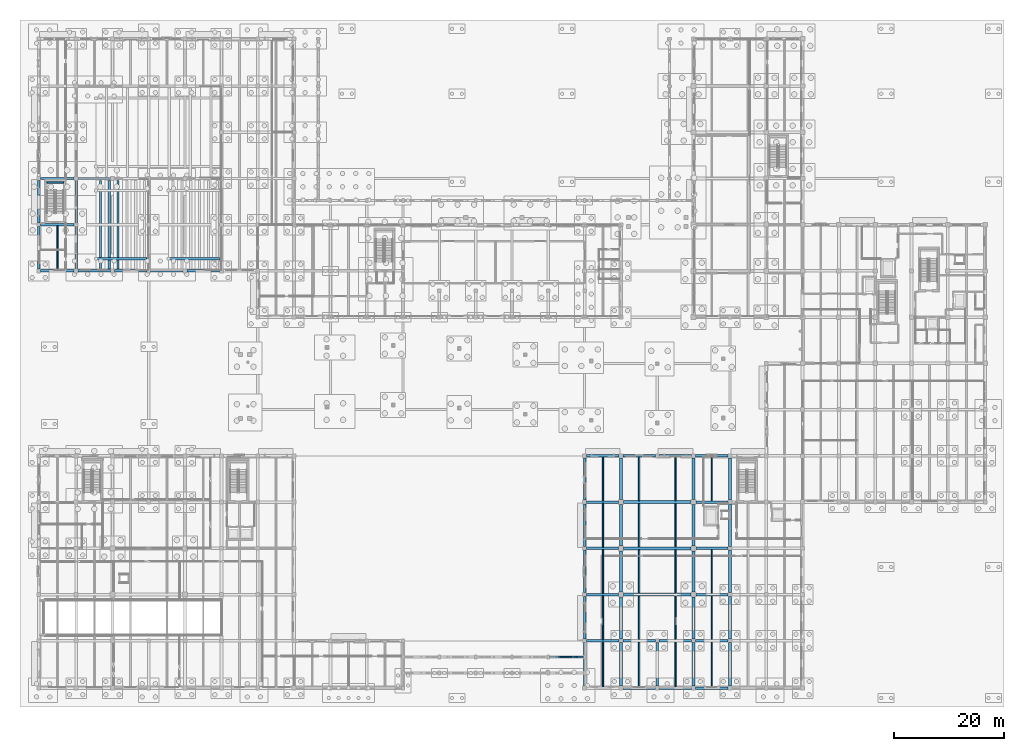
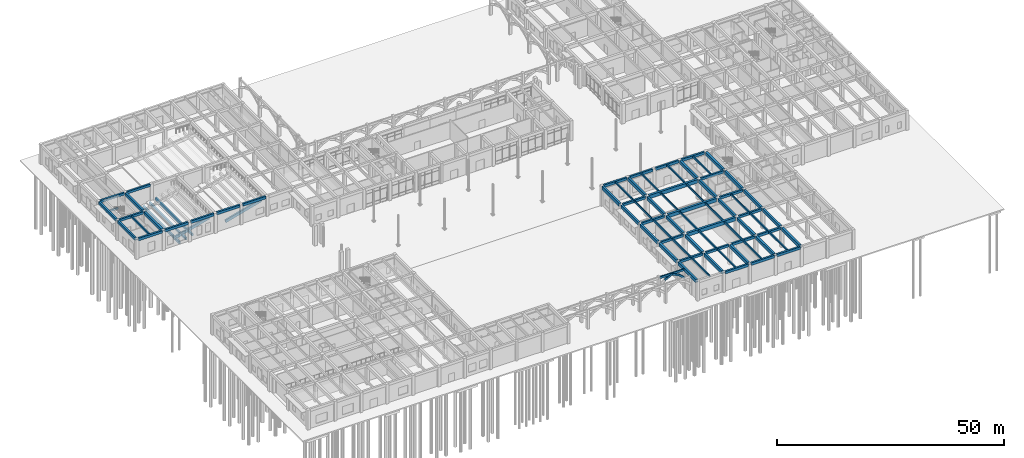
# One storey, part 23 of 82: 80 beams, 3 members.
"""IFC4 building model written with IfcOpenShell, lengths in metres."""

from ifc_helpers import new_model, si_unit, direction, frame, origin, origin_2d, place, context, subcontext, project, spatial, rectangle, extrude, material, material_profile, profile_set, type_object, element, save


model = new_model("IFC4")

# Units and contexts
model_context = context("Model", 3, precision=1e-05, world=origin(), true_north=direction((0.0, 1.0)))
body_context = subcontext(model_context, "Body", "Model", "MODEL_VIEW")
ifc_project = project(units=[si_unit("LENGTHUNIT", "METRE"), si_unit("AREAUNIT", "SQUARE_METRE"), si_unit("VOLUMEUNIT", "CUBIC_METRE"), si_unit("PLANEANGLEUNIT", "RADIAN"), si_unit("MASSUNIT", "GRAM", prefix="KILO")], contexts=[model_context])

# Site, building, storey
site_placement = place(None, origin())
site = spatial("IfcSite", under=ifc_project, at=site_placement, CompositionType="ELEMENT")
building_placement = place(site_placement, origin())
building = spatial("IfcBuilding", under=site, at=building_placement, Name="Kolvaren Faculty of Natural Sciences", CompositionType="ELEMENT")
storey_placement = place(building_placement, origin())
storey = spatial("IfcBuildingStorey", under=building, at=storey_placement, Name="L00", CompositionType="ELEMENT", Elevation=0.0)

# Beams
ifc_material_1 = material(Name="Concrete C40/50", Category="concrete")
ifc_material_profile_1 = material_profile(ifc_material_1, rectangle(XDim=0.300048828125, YDim=0.449951171875, at=origin_2d()), Name="RC LNT 300x450")
ifc_profile_set_1 = profile_set([ifc_material_profile_1], Name="Concrete C40/50")
beam_type_1 = type_object("IfcBeamType", Name="CoreCouplingLintel_300x450", PredefinedType="LINTEL", material=ifc_profile_set_1)
beam_1_placement = place(storey_placement, frame((1.47509765625, 91.8798828125, 2.27490234375), z_axis=(1.0, 0.0, 0.0), x_axis=(0.0, 1.0, 0.0)))
element("IfcBeam", 1, at=beam_1_placement, inside=storey, type_object=beam_type_1, Name="L00 ST-5 half-landing support lintel", PredefinedType="LINTEL", context=body_context, shape_type="SweptSolid", body=[
    extrude(rectangle(XDim=0.300048828125, YDim=0.449951171875, at=origin_2d()), origin(), (0.0, 0.0, 1.0), 3.0498046875),
])
ifc_material_2 = material(Name="Concrete C35/45", Category="concrete")
ifc_material_profile_2 = material_profile(ifc_material_2, rectangle(XDim=0.39990234375, YDim=0.60009765625, at=origin_2d()), Name="RC BM 400x600")
ifc_profile_set_2 = profile_set([ifc_material_profile_2], Name="Concrete C35/45")
beam_type_2 = type_object("IfcBeamType", Name="GridBeam_400x600", PredefinedType="BEAM", material=ifc_profile_set_2)
for number, where, z_axis, x_axis, name in (
    (2, (11.22509765625, 76.1201171875, 0.090087890625), (0.0, 1.0, 0.0), (-1.0, 0.0, 0.0), "Lecture theatre LT-2 tier 1 transverse support beam"),
    (3, (12.824951171875, 76.1201171875, 0.60009765625), (0.0, 1.0, 0.0), (-1.0, 0.0, 0.0), "Lecture theatre LT-2 tier 2 transverse support beam"),
    (4, (14.425048828125, 76.1201171875, 1.1298828125), (0.0, 1.0, 0.0), (-1.0, 0.0, 0.0), "Lecture theatre LT-2 tier 3 transverse support beam"),
):
    element("IfcBeam", number, at=place(storey_placement, frame(where, z_axis=z_axis, x_axis=x_axis)), inside=storey, type_object=beam_type_2, Name=name, PredefinedType="BEAM", context=body_context, shape_type="SweptSolid", body=[
        extrude(rectangle(XDim=0.39990234375, YDim=0.60009765625, at=origin_2d()), origin(), (0.0, 0.0, 1.0), 16.159912109375),
    ])
ifc_material_profile_3 = material_profile(ifc_material_2, rectangle(XDim=0.449951171875, YDim=0.64990234375, at=origin_2d()), Name="RC BM 450x650")
ifc_profile_set_3 = profile_set([ifc_material_profile_3], Name="Concrete C35/45")
beam_type_3 = type_object("IfcBeamType", Name="GridBeam_450x650", PredefinedType="BEAM", material=ifc_profile_set_3)
beam_2_placement = place(storey_placement, frame((99.550048828125, 8.60009765625, 5.074951171875), z_axis=(1.0, 0.0, 0.0), x_axis=(0.0, 1.0, 0.0)))
element("IfcBeam", 5, at=beam_2_placement, inside=storey, type_object=beam_type_3, Name="L00 beam BM-65 on grid B", PredefinedType="BEAM", context=body_context, shape_type="SweptSolid", body=[
    extrude(rectangle(XDim=0.449951171875, YDim=0.64990234375, at=origin_2d()), origin(), (0.0, 0.0, 1.0), 5.89990234375),
])
beam_3_placement = place(storey_placement, frame((106.14990234375, 8.60009765625, 5.074951171875), z_axis=(1.0, 0.0, 0.0), x_axis=(0.0, 1.0, 0.0)))
element("IfcBeam", 6, at=beam_3_placement, inside=storey, type_object=beam_type_3, Name="L00 beam BM-65 on grid B", PredefinedType="BEAM", context=body_context, shape_type="SweptSolid", body=[
    extrude(rectangle(XDim=0.449951171875, YDim=0.64990234375, at=origin_2d()), origin(), (0.0, 0.0, 1.0), 5.900146484375),
])
for number, where, z_axis, x_axis, name in (
    (7, (112.75, 8.60009765625, 5.074951171875), (1.0, 0.0, 0.0), (0.0, 1.0, 0.0), "L00 beam BM-65 on grid B"),
    (8, (119.35009765625, 8.60009765625, 5.074951171875), (1.0, 0.0, 0.0), (0.0, 1.0, 0.0), "L00 beam BM-65 on grid B"),
):
    element("IfcBeam", number, at=place(storey_placement, frame(where, z_axis=z_axis, x_axis=x_axis)), inside=storey, type_object=beam_type_3, Name=name, PredefinedType="BEAM", context=body_context, shape_type="SweptSolid", body=[
        extrude(rectangle(XDim=0.449951171875, YDim=0.64990234375, at=origin_2d()), origin(), (0.0, 0.0, 1.0), 5.89990234375),
    ])
for number, where, z_axis, x_axis, name in (
    (9, (99.550048828125, 17.0, 5.074951171875), (1.0, 0.0, 0.0), (0.0, 1.0, 0.0), "L00 beam BM-65 on grid C"),
    (10, (119.449951171875, 17.0, 5.074951171875), (1.0, 0.0, 0.0), (0.0, 1.0, 0.0), "L00 beam BM-65 on grid C"),
    (11, (99.550048828125, 25.39990234375, 5.074951171875), (1.0, 0.0, 0.0), (0.0, 1.0, 0.0), "L00 beam BM-65 on grid D"),
    (12, (119.449951171875, 25.39990234375, 5.074951171875), (1.0, 0.0, 0.0), (0.0, 1.0, 0.0), "L00 beam BM-65 on grid D"),
    (13, (99.550048828125, 33.800048828125, 5.074951171875), (1.0, 0.0, 0.0), (0.0, 1.0, 0.0), "L00 beam BM-65 on grid E"),
    (14, (119.449951171875, 33.800048828125, 5.074951171875), (1.0, 0.0, 0.0), (0.0, 1.0, 0.0), "L00 beam BM-65 on grid E"),
):
    element("IfcBeam", number, at=place(storey_placement, frame(where, z_axis=z_axis, x_axis=x_axis)), inside=storey, type_object=beam_type_3, Name=name, PredefinedType="BEAM", context=body_context, shape_type="SweptSolid", body=[
        extrude(rectangle(XDim=0.449951171875, YDim=0.64990234375, at=origin_2d()), origin(), (0.0, 0.0, 1.0), 5.800048828125),
    ])
for number, where, z_axis, x_axis, name in (
    (15, (0.35009765625, 84.199951171875, 5.074951171875), (1.0, 0.0, 0.0), (0.0, 1.0, 0.0), "L00 beam BM-65 on grid L"),
    (16, (0.35009765625, 92.60009765625, 5.074951171875), (1.0, 0.0, 0.0), (0.0, 1.0, 0.0), "L00 beam BM-65 on grid M"),
):
    element("IfcBeam", number, at=place(storey_placement, frame(where, z_axis=z_axis, x_axis=x_axis)), inside=storey, type_object=beam_type_3, Name=name, PredefinedType="BEAM", context=body_context, shape_type="SweptSolid", body=[
        extrude(rectangle(XDim=0.449951171875, YDim=0.64990234375, at=origin_2d()), origin(), (0.0, 0.0, 1.0), 6.099853515625),
    ])
beam_4_placement = place(storey_placement, frame((7.14990234375, 92.60009765625, 5.074951171875), z_axis=(1.0, 0.0, 0.0), x_axis=(0.0, 1.0, 0.0)))
element("IfcBeam", 17, at=beam_4_placement, inside=storey, type_object=beam_type_3, Name="L00 beam BM-65 on grid M", PredefinedType="BEAM", context=body_context, shape_type="SweptSolid", body=[
    extrude(rectangle(XDim=0.449951171875, YDim=0.64990234375, at=origin_2d()), origin(), (0.0, 0.0, 1.0), 5.900146484375),
])
ifc_material_profile_4 = material_profile(ifc_material_1, rectangle(XDim=0.550048828125, YDim=0.949951171875, at=origin_2d()), Name="RC BM 550x950")
ifc_profile_set_4 = profile_set([ifc_material_profile_4], Name="Concrete C40/50")
beam_type_4 = type_object("IfcBeamType", Name="HallGirder_550x950", PredefinedType="BEAM", material=ifc_profile_set_4)
for number, where, z_axis, x_axis, name in (
    (18, (106.25, 17.0, 4.925048828125), (1.0, 0.0, 0.0), (0.0, 1.0, 0.0), "L00 beam BG-95 on grid C"),
    (19, (106.25, 25.39990234375, 4.925048828125), (1.0, 0.0, 0.0), (0.0, 1.0, 0.0), "L00 beam BG-95 on grid D"),
    (20, (106.25, 33.800048828125, 4.925048828125), (1.0, 0.0, 0.0), (0.0, 1.0, 0.0), "L00 beam BG-95 on grid E"),
):
    element("IfcBeam", number, at=place(storey_placement, frame(where, z_axis=z_axis, x_axis=x_axis)), inside=storey, type_object=beam_type_4, Name=name, PredefinedType="BEAM", context=body_context, shape_type="SweptSolid", body=[
        extrude(rectangle(XDim=0.550048828125, YDim=0.949951171875, at=origin_2d()), origin(), (0.0, 0.0, 1.0), 12.300048828125),
    ])
ifc_material_profile_5 = material_profile(ifc_material_2, rectangle(XDim=0.260009765625, YDim=0.5, at=origin_2d()), Name="RC JST 260x500")
ifc_profile_set_5 = profile_set([ifc_material_profile_5], Name="Concrete C35/45")
beam_type_5 = type_object("IfcBeamType", Name="LabRibJoist_260x500", PredefinedType="JOIST", material=ifc_profile_set_5)
beam_5_placement = place(storey_placement, frame((3.39990234375, 76.02490234375, 5.14990234375), z_axis=(0.0, 1.0, 0.0), x_axis=(-1.0, 0.0, 0.0)))
element("IfcBeam", 21, at=beam_5_placement, inside=storey, type_object=beam_type_5, Name="L00 ribbed laboratory slab joist JS-50", PredefinedType="JOIST", context=body_context, shape_type="SweptSolid", body=[
    extrude(rectangle(XDim=0.260009765625, YDim=0.5, at=origin_2d()), origin(), (0.0, 0.0, 1.0), 7.9501953125),
])
beam_6_placement = place(storey_placement, frame((102.5, 0.22509765625, 5.14990234375), z_axis=(0.0, 1.0, 0.0), x_axis=(-1.0, 0.0, 0.0)))
element("IfcBeam", 22, at=beam_6_placement, inside=storey, type_object=beam_type_5, Name="L00 ribbed laboratory slab joist JS-50", PredefinedType="JOIST", context=body_context, shape_type="SweptSolid", body=[
    extrude(rectangle(XDim=0.260009765625, YDim=0.5, at=origin_2d()), origin(), (0.0, 0.0, 1.0), 8.14990234375),
])
for number, where, z_axis, x_axis, name in (
    (23, (102.5, 8.824951171875, 5.14990234375), (0.0, 1.0, 0.0), (-1.0, 0.0, 0.0), "L00 ribbed laboratory slab joist JS-50"),
    (24, (102.5, 17.22509765625, 5.14990234375), (0.0, 1.0, 0.0), (-1.0, 0.0, 0.0), "L00 ribbed laboratory slab joist JS-50"),
    (25, (102.5, 25.625, 5.14990234375), (0.0, 1.0, 0.0), (-1.0, 0.0, 0.0), "L00 ribbed laboratory slab joist JS-50"),
):
    element("IfcBeam", number, at=place(storey_placement, frame(where, z_axis=z_axis, x_axis=x_axis)), inside=storey, type_object=beam_type_5, Name=name, PredefinedType="JOIST", context=body_context, shape_type="SweptSolid", body=[
        extrude(rectangle(XDim=0.260009765625, YDim=0.5, at=origin_2d()), origin(), (0.0, 0.0, 1.0), 7.949951171875),
    ])
beam_7_placement = place(storey_placement, frame((102.5, 34.02490234375, 5.14990234375), z_axis=(0.0, 1.0, 0.0), x_axis=(-1.0, 0.0, 0.0)))
element("IfcBeam", 26, at=beam_7_placement, inside=storey, type_object=beam_type_5, Name="L00 ribbed laboratory slab joist JS-50", PredefinedType="JOIST", context=body_context, shape_type="SweptSolid", body=[
    extrude(rectangle(XDim=0.260009765625, YDim=0.5, at=origin_2d()), origin(), (0.0, 0.0, 1.0), 7.9501953125),
])
beam_8_placement = place(storey_placement, frame((109.10009765625, 0.22509765625, 5.14990234375), z_axis=(0.0, 1.0, 0.0), x_axis=(-1.0, 0.0, 0.0)))
element("IfcBeam", 27, at=beam_8_placement, inside=storey, type_object=beam_type_5, Name="L00 ribbed laboratory slab joist JS-50", PredefinedType="JOIST", context=body_context, shape_type="SweptSolid", body=[
    extrude(rectangle(XDim=0.260009765625, YDim=0.5, at=origin_2d()), origin(), (0.0, 0.0, 1.0), 8.14990234375),
])
beam_9_placement = place(storey_placement, frame((109.10009765625, 8.824951171875, 5.14990234375), z_axis=(0.0, 1.0, 0.0), x_axis=(-1.0, 0.0, 0.0)))
element("IfcBeam", 28, at=beam_9_placement, inside=storey, type_object=beam_type_5, Name="L00 ribbed laboratory slab joist JS-50", PredefinedType="JOIST", context=body_context, shape_type="SweptSolid", body=[
    extrude(rectangle(XDim=0.260009765625, YDim=0.5, at=origin_2d()), origin(), (0.0, 0.0, 1.0), 7.900146484375),
])
beam_10_placement = place(storey_placement, frame((109.10009765625, 17.27490234375, 5.14990234375), z_axis=(0.0, 1.0, 0.0), x_axis=(-1.0, 0.0, 0.0)))
element("IfcBeam", 29, at=beam_10_placement, inside=storey, type_object=beam_type_5, Name="L00 ribbed laboratory slab joist JS-50", PredefinedType="JOIST", context=body_context, shape_type="SweptSolid", body=[
    extrude(rectangle(XDim=0.260009765625, YDim=0.5, at=origin_2d()), origin(), (0.0, 0.0, 1.0), 7.85009765625),
])
beam_11_placement = place(storey_placement, frame((109.10009765625, 25.675048828125, 5.14990234375), z_axis=(0.0, 1.0, 0.0), x_axis=(-1.0, 0.0, 0.0)))
element("IfcBeam", 30, at=beam_11_placement, inside=storey, type_object=beam_type_5, Name="L00 ribbed laboratory slab joist JS-50", PredefinedType="JOIST", context=body_context, shape_type="SweptSolid", body=[
    extrude(rectangle(XDim=0.260009765625, YDim=0.5, at=origin_2d()), origin(), (0.0, 0.0, 1.0), 7.849853515625),
])
beam_12_placement = place(storey_placement, frame((109.10009765625, 34.074951171875, 5.14990234375), z_axis=(0.0, 1.0, 0.0), x_axis=(-1.0, 0.0, 0.0)))
element("IfcBeam", 31, at=beam_12_placement, inside=storey, type_object=beam_type_5, Name="L00 ribbed laboratory slab joist JS-50", PredefinedType="JOIST", context=body_context, shape_type="SweptSolid", body=[
    extrude(rectangle(XDim=0.260009765625, YDim=0.5, at=origin_2d()), origin(), (0.0, 0.0, 1.0), 7.900146484375),
])
beam_13_placement = place(storey_placement, frame((115.699951171875, 0.22509765625, 5.14990234375), z_axis=(0.0, 1.0, 0.0), x_axis=(-1.0, 0.0, 0.0)))
element("IfcBeam", 32, at=beam_13_placement, inside=storey, type_object=beam_type_5, Name="L00 ribbed laboratory slab joist JS-50", PredefinedType="JOIST", context=body_context, shape_type="SweptSolid", body=[
    extrude(rectangle(XDim=0.260009765625, YDim=0.5, at=origin_2d()), origin(), (0.0, 0.0, 1.0), 8.14990234375),
])
beam_14_placement = place(storey_placement, frame((115.699951171875, 8.824951171875, 5.14990234375), z_axis=(0.0, 1.0, 0.0), x_axis=(-1.0, 0.0, 0.0)))
element("IfcBeam", 33, at=beam_14_placement, inside=storey, type_object=beam_type_5, Name="L00 ribbed laboratory slab joist JS-50", PredefinedType="JOIST", context=body_context, shape_type="SweptSolid", body=[
    extrude(rectangle(XDim=0.260009765625, YDim=0.5, at=origin_2d()), origin(), (0.0, 0.0, 1.0), 7.900146484375),
])
beam_15_placement = place(storey_placement, frame((115.699951171875, 17.27490234375, 5.14990234375), z_axis=(0.0, 1.0, 0.0), x_axis=(-1.0, 0.0, 0.0)))
element("IfcBeam", 34, at=beam_15_placement, inside=storey, type_object=beam_type_5, Name="L00 ribbed laboratory slab joist JS-50", PredefinedType="JOIST", context=body_context, shape_type="SweptSolid", body=[
    extrude(rectangle(XDim=0.260009765625, YDim=0.5, at=origin_2d()), origin(), (0.0, 0.0, 1.0), 7.85009765625),
])
beam_16_placement = place(storey_placement, frame((115.699951171875, 25.675048828125, 5.14990234375), z_axis=(0.0, 1.0, 0.0), x_axis=(-1.0, 0.0, 0.0)))
element("IfcBeam", 35, at=beam_16_placement, inside=storey, type_object=beam_type_5, Name="L00 ribbed laboratory slab joist JS-50", PredefinedType="JOIST", context=body_context, shape_type="SweptSolid", body=[
    extrude(rectangle(XDim=0.260009765625, YDim=0.5, at=origin_2d()), origin(), (0.0, 0.0, 1.0), 7.849853515625),
])
beam_17_placement = place(storey_placement, frame((115.699951171875, 34.074951171875, 5.14990234375), z_axis=(0.0, 1.0, 0.0), x_axis=(-1.0, 0.0, 0.0)))
element("IfcBeam", 36, at=beam_17_placement, inside=storey, type_object=beam_type_5, Name="L00 ribbed laboratory slab joist JS-50", PredefinedType="JOIST", context=body_context, shape_type="SweptSolid", body=[
    extrude(rectangle(XDim=0.260009765625, YDim=0.5, at=origin_2d()), origin(), (0.0, 0.0, 1.0), 7.900146484375),
])
beam_18_placement = place(storey_placement, frame((122.300048828125, 0.22509765625, 5.14990234375), z_axis=(0.0, 1.0, 0.0), x_axis=(-1.0, 0.0, 0.0)))
element("IfcBeam", 37, at=beam_18_placement, inside=storey, type_object=beam_type_5, Name="L00 ribbed laboratory slab joist JS-50", PredefinedType="JOIST", context=body_context, shape_type="SweptSolid", body=[
    extrude(rectangle(XDim=0.260009765625, YDim=0.5, at=origin_2d()), origin(), (0.0, 0.0, 1.0), 8.14990234375),
])
for number, where, z_axis, x_axis, name in (
    (38, (122.300048828125, 8.824951171875, 5.14990234375), (0.0, 1.0, 0.0), (-1.0, 0.0, 0.0), "L00 ribbed laboratory slab joist JS-50"),
    (39, (122.300048828125, 17.22509765625, 5.14990234375), (0.0, 1.0, 0.0), (-1.0, 0.0, 0.0), "L00 ribbed laboratory slab joist JS-50"),
):
    element("IfcBeam", number, at=place(storey_placement, frame(where, z_axis=z_axis, x_axis=x_axis)), inside=storey, type_object=beam_type_5, Name=name, PredefinedType="JOIST", context=body_context, shape_type="SweptSolid", body=[
        extrude(rectangle(XDim=0.260009765625, YDim=0.5, at=origin_2d()), origin(), (0.0, 0.0, 1.0), 7.949951171875),
    ])
beam_19_placement = place(storey_placement, frame((122.300048828125, 34.02490234375, 5.14990234375), z_axis=(0.0, 1.0, 0.0), x_axis=(-1.0, 0.0, 0.0)))
element("IfcBeam", 40, at=beam_19_placement, inside=storey, type_object=beam_type_5, Name="L00 ribbed laboratory slab joist JS-50", PredefinedType="JOIST", context=body_context, shape_type="SweptSolid", body=[
    extrude(rectangle(XDim=0.260009765625, YDim=0.5, at=origin_2d()), origin(), (0.0, 0.0, 1.0), 7.9501953125),
])
ifc_material_profile_6 = material_profile(ifc_material_2, rectangle(XDim=0.39990234375, YDim=0.75, at=origin_2d()), Name="RC RK 400x750")
ifc_profile_set_6 = profile_set([ifc_material_profile_6], Name="Concrete C35/45")
beam_type_6 = type_object("IfcBeamType", Name="LectureTierRaker_400x750", PredefinedType="BEAM", material=ifc_profile_set_6)
beam_20_placement = place(storey_placement, frame((10.64990234375, 78.0, 0.35009765625), z_axis=(0.963502674178, 0.0, 0.267698705361), x_axis=(0.0, 1.0, 0.0)))
element("IfcBeam", 41, at=beam_20_placement, inside=storey, type_object=beam_type_6, Name="Lecture theatre LT-2 raker beam 1", PredefinedType="BEAM", context=body_context, shape_type="SweptSolid", body=[
    extrude(rectangle(XDim=0.39990234375, YDim=0.75, at=origin_2d()), origin(), (0.0, 0.0, 1.0), 9.41357421875),
])
beam_21_placement = place(storey_placement, frame((23.85009765625, 78.0, 0.35009765625), z_axis=(0.963500815555, 0.0, 0.267705394836), x_axis=(0.0, 1.0, 0.0)))
element("IfcBeam", 42, at=beam_21_placement, inside=storey, type_object=beam_type_6, Name="Lecture theatre LT-3 raker beam 1", PredefinedType="BEAM", context=body_context, shape_type="SweptSolid", body=[
    extrude(rectangle(XDim=0.39990234375, YDim=0.75, at=origin_2d()), origin(), (0.0, 0.0, 1.0), 9.413330078125),
])

# Members
ifc_material_3 = material(Name="Precast concrete C35/45", Category="concrete")
ifc_material_profile_7 = material_profile(ifc_material_3, rectangle(XDim=0.320068359375, YDim=0.47998046875, at=origin_2d()), Name="RC ARCH 320x480")
ifc_profile_set_7 = profile_set([ifc_material_profile_7], Name="Precast concrete C35/45")
member_type = type_object("IfcMemberType", Name="MughalPointedArchRib_320x480", PredefinedType="CHORD", material=ifc_profile_set_7)
for number, where, z_axis, x_axis, name in (
    (43, (94.0361328125, 5.64990234375, 3.871337890625), (0.898849053267, 0.0, 0.438258347828), (0.0, 1.0, 0.0), "Pointed Mughal arch rib ARG-N-92 segment 2"),
    (44, (95.828125, 5.64990234375, 4.815185546875), (0.898849053267, 0.0, -0.438258347828), (0.0, 1.0, 0.0), "Pointed Mughal arch rib ARG-N-92 segment 3"),
):
    element("IfcMember", number, at=place(storey_placement, frame(where, z_axis=z_axis, x_axis=x_axis)), inside=storey, type_object=member_type, Name=name, PredefinedType="CHORD", context=body_context, shape_type="SweptSolid", body=[
        extrude(rectangle(XDim=0.320068359375, YDim=0.47998046875, at=origin_2d()), origin(), (0.0, 0.0, 1.0), 2.153564453125),
    ])
member_placement = place(storey_placement, frame((97.631103515625, 5.64990234375, 3.95849609375), z_axis=(0.75942767941, 0.0, -0.650591730462), x_axis=(0.0, 1.0, 0.0)))
element("IfcMember", 45, at=member_placement, inside=storey, type_object=member_type, Name="Pointed Mughal arch rib ARG-N-92 segment 4", PredefinedType="CHORD", context=body_context, shape_type="SweptSolid", body=[
    extrude(rectangle(XDim=0.320068359375, YDim=0.47998046875, at=origin_2d()), origin(), (0.0, 0.0, 1.0), 2.014404296875),
])

# Beams
ifc_material_profile_8 = material_profile(ifc_material_2, rectangle(XDim=0.300048828125, YDim=0.550048828125, at=origin_2d()), Name="RC SP 300x550")
ifc_profile_set_8 = profile_set([ifc_material_profile_8], Name="Concrete C35/45")
beam_type_7 = type_object("IfcBeamType", Name="PerimeterSpandrel_300x550", PredefinedType="SPANDREL", material=ifc_profile_set_8)
beam_22_placement = place(storey_placement, frame((92.830078125, 5.64990234375, 4.89990234375), z_axis=(1.0, 0.0, 0.0), x_axis=(0.0, 1.0, 0.0)))
element("IfcBeam", 46, at=beam_22_placement, inside=storey, type_object=beam_type_7, Name="Chahar Bagh pointed-arch colonnade spandrel beam", PredefinedType="SPANDREL", context=body_context, shape_type="SweptSolid", body=[
    extrude(rectangle(XDim=0.300048828125, YDim=0.550048828125, at=origin_2d()), origin(), (0.0, 0.0, 1.0), 6.139892578125),
])
ifc_material_profile_9 = material_profile(ifc_material_2, rectangle(XDim=0.449951171875, YDim=0.699951171875, at=origin_2d()), Name="RC SP 450x700")
ifc_profile_set_9 = profile_set([ifc_material_profile_9], Name="Concrete C35/45")
beam_type_8 = type_object("IfcBeamType", Name="PerimeterSpandrel_450x700", PredefinedType="SPANDREL", material=ifc_profile_set_9)
beam_23_placement = place(storey_placement, frame((106.14990234375, 0.0, 5.050048828125), z_axis=(1.0, 0.0, 0.0), x_axis=(0.0, 1.0, 0.0)))
element("IfcBeam", 47, at=beam_23_placement, inside=storey, type_object=beam_type_8, Name="L00 spandrel SP-70 on grid A", PredefinedType="SPANDREL", context=body_context, shape_type="SweptSolid", body=[
    extrude(rectangle(XDim=0.449951171875, YDim=0.699951171875, at=origin_2d()), origin(), (0.0, 0.0, 1.0), 5.900146484375),
])
for number, where, z_axis, x_axis, name in (
    (48, (112.75, 0.0, 5.050048828125), (1.0, 0.0, 0.0), (0.0, 1.0, 0.0), "L00 spandrel SP-70 on grid A"),
    (49, (119.35009765625, 0.0, 5.050048828125), (1.0, 0.0, 0.0), (0.0, 1.0, 0.0), "L00 spandrel SP-70 on grid A"),
    (50, (99.550048828125, 42.199951171875, 5.050048828125), (1.0, 0.0, 0.0), (0.0, 1.0, 0.0), "L00 spandrel SP-70 on grid F"),
):
    element("IfcBeam", number, at=place(storey_placement, frame(where, z_axis=z_axis, x_axis=x_axis)), inside=storey, type_object=beam_type_8, Name=name, PredefinedType="SPANDREL", context=body_context, shape_type="SweptSolid", body=[
        extrude(rectangle(XDim=0.449951171875, YDim=0.699951171875, at=origin_2d()), origin(), (0.0, 0.0, 1.0), 5.89990234375),
    ])
beam_24_placement = place(storey_placement, frame((106.14990234375, 42.199951171875, 5.050048828125), z_axis=(1.0, 0.0, 0.0), x_axis=(0.0, 1.0, 0.0)))
element("IfcBeam", 51, at=beam_24_placement, inside=storey, type_object=beam_type_8, Name="L00 spandrel SP-70 on grid F", PredefinedType="SPANDREL", context=body_context, shape_type="SweptSolid", body=[
    extrude(rectangle(XDim=0.449951171875, YDim=0.699951171875, at=origin_2d()), origin(), (0.0, 0.0, 1.0), 5.900146484375),
])
for number, where, z_axis, x_axis, name in (
    (52, (112.75, 42.199951171875, 5.050048828125), (1.0, 0.0, 0.0), (0.0, 1.0, 0.0), "L00 spandrel SP-70 on grid F"),
    (53, (119.35009765625, 42.199951171875, 5.050048828125), (1.0, 0.0, 0.0), (0.0, 1.0, 0.0), "L00 spandrel SP-70 on grid F"),
):
    element("IfcBeam", number, at=place(storey_placement, frame(where, z_axis=z_axis, x_axis=x_axis)), inside=storey, type_object=beam_type_8, Name=name, PredefinedType="SPANDREL", context=body_context, shape_type="SweptSolid", body=[
        extrude(rectangle(XDim=0.449951171875, YDim=0.699951171875, at=origin_2d()), origin(), (0.0, 0.0, 1.0), 5.89990234375),
    ])
beam_25_placement = place(storey_placement, frame((0.35009765625, 75.800048828125, 5.050048828125), z_axis=(1.0, 0.0, 0.0), x_axis=(0.0, 1.0, 0.0)))
element("IfcBeam", 54, at=beam_25_placement, inside=storey, type_object=beam_type_8, Name="L00 spandrel SP-70 on grid K", PredefinedType="SPANDREL", context=body_context, shape_type="SweptSolid", body=[
    extrude(rectangle(XDim=0.449951171875, YDim=0.699951171875, at=origin_2d()), origin(), (0.0, 0.0, 1.0), 6.099853515625),
])
beam_26_placement = place(storey_placement, frame((7.14990234375, 75.800048828125, 5.050048828125), z_axis=(1.0, 0.0, 0.0), x_axis=(0.0, 1.0, 0.0)))
element("IfcBeam", 55, at=beam_26_placement, inside=storey, type_object=beam_type_8, Name="L00 spandrel SP-70 on grid K", PredefinedType="SPANDREL", context=body_context, shape_type="SweptSolid", body=[
    extrude(rectangle(XDim=0.449951171875, YDim=0.699951171875, at=origin_2d()), origin(), (0.0, 0.0, 1.0), 5.900146484375),
])
for number, where, z_axis, x_axis, name in (
    (56, (13.75, 75.800048828125, 5.050048828125), (1.0, 0.0, 0.0), (0.0, 1.0, 0.0), "L00 spandrel SP-70 on grid K"),
    (57, (20.35009765625, 75.800048828125, 5.050048828125), (1.0, 0.0, 0.0), (0.0, 1.0, 0.0), "L00 spandrel SP-70 on grid K"),
):
    element("IfcBeam", number, at=place(storey_placement, frame(where, z_axis=z_axis, x_axis=x_axis)), inside=storey, type_object=beam_type_8, Name=name, PredefinedType="SPANDREL", context=body_context, shape_type="SweptSolid", body=[
        extrude(rectangle(XDim=0.449951171875, YDim=0.699951171875, at=origin_2d()), origin(), (0.0, 0.0, 1.0), 5.89990234375),
    ])
beam_27_placement = place(storey_placement, frame((26.949951171875, 75.800048828125, 5.050048828125), z_axis=(1.0, 0.0, 0.0), x_axis=(0.0, 1.0, 0.0)))
element("IfcBeam", 58, at=beam_27_placement, inside=storey, type_object=beam_type_8, Name="L00 spandrel SP-70 on grid K", PredefinedType="SPANDREL", context=body_context, shape_type="SweptSolid", body=[
    extrude(rectangle(XDim=0.449951171875, YDim=0.699951171875, at=origin_2d()), origin(), (0.0, 0.0, 1.0), 5.900146484375),
])
beam_28_placement = place(storey_placement, frame((0.0, 76.14990234375, 5.050048828125), z_axis=(0.0, 1.0, 0.0), x_axis=(-1.0, 0.0, 0.0)))
element("IfcBeam", 59, at=beam_28_placement, inside=storey, type_object=beam_type_8, Name="L00 girder SP-70 on grid 1", PredefinedType="SPANDREL", context=body_context, shape_type="SweptSolid", body=[
    extrude(rectangle(XDim=0.449951171875, YDim=0.699951171875, at=origin_2d()), origin(), (0.0, 0.0, 1.0), 7.7001953125),
])
beam_29_placement = place(storey_placement, frame((0.0, 84.550048828125, 5.050048828125), z_axis=(0.0, 1.0, 0.0), x_axis=(-1.0, 0.0, 0.0)))
element("IfcBeam", 60, at=beam_29_placement, inside=storey, type_object=beam_type_8, Name="L00 girder SP-70 on grid 1", PredefinedType="SPANDREL", context=body_context, shape_type="SweptSolid", body=[
    extrude(rectangle(XDim=0.449951171875, YDim=0.699951171875, at=origin_2d()), origin(), (0.0, 0.0, 1.0), 7.699951171875),
])
ifc_material_profile_10 = material_profile(ifc_material_2, rectangle(XDim=0.5, YDim=0.85009765625, at=origin_2d()), Name="RC BM 500x850")
ifc_profile_set_10 = profile_set([ifc_material_profile_10], Name="Concrete C35/45")
beam_type_9 = type_object("IfcBeamType", Name="PrimaryGirder_500x850", PredefinedType="BEAM", material=ifc_profile_set_10)
beam_30_placement = place(storey_placement, frame((6.800048828125, 76.14990234375, 4.97509765625), z_axis=(0.0, 1.0, 0.0), x_axis=(-1.0, 0.0, 0.0)))
element("IfcBeam", 61, at=beam_30_placement, inside=storey, type_object=beam_type_9, Name="L00 girder BG-85 on grid 2", PredefinedType="BEAM", context=body_context, shape_type="SweptSolid", body=[
    extrude(rectangle(XDim=0.5, YDim=0.85009765625, at=origin_2d()), origin(), (0.0, 0.0, 1.0), 7.7001953125),
])
beam_31_placement = place(storey_placement, frame((6.800048828125, 84.550048828125, 4.97509765625), z_axis=(0.0, 1.0, 0.0), x_axis=(-1.0, 0.0, 0.0)))
element("IfcBeam", 62, at=beam_31_placement, inside=storey, type_object=beam_type_9, Name="L00 girder BG-85 on grid 2", PredefinedType="BEAM", context=body_context, shape_type="SweptSolid", body=[
    extrude(rectangle(XDim=0.5, YDim=0.85009765625, at=origin_2d()), origin(), (0.0, 0.0, 1.0), 7.699951171875),
])
beam_32_placement = place(storey_placement, frame((99.199951171875, 0.35009765625, 4.97509765625), z_axis=(0.0, 1.0, 0.0), x_axis=(-1.0, 0.0, 0.0)))
element("IfcBeam", 63, at=beam_32_placement, inside=storey, type_object=beam_type_9, Name="L00 girder BG-85 on grid 16", PredefinedType="BEAM", context=body_context, shape_type="SweptSolid", body=[
    extrude(rectangle(XDim=0.5, YDim=0.85009765625, at=origin_2d()), origin(), (0.0, 0.0, 1.0), 7.89990234375),
])
for number, where, z_axis, x_axis, name in (
    (64, (99.199951171875, 8.949951171875, 4.97509765625), (0.0, 1.0, 0.0), (-1.0, 0.0, 0.0), "L00 girder BG-85 on grid 16"),
    (65, (99.199951171875, 17.35009765625, 4.97509765625), (0.0, 1.0, 0.0), (-1.0, 0.0, 0.0), "L00 girder BG-85 on grid 16"),
    (66, (99.199951171875, 25.75, 4.97509765625), (0.0, 1.0, 0.0), (-1.0, 0.0, 0.0), "L00 girder BG-85 on grid 16"),
):
    element("IfcBeam", number, at=place(storey_placement, frame(where, z_axis=z_axis, x_axis=x_axis)), inside=storey, type_object=beam_type_9, Name=name, PredefinedType="BEAM", context=body_context, shape_type="SweptSolid", body=[
        extrude(rectangle(XDim=0.5, YDim=0.85009765625, at=origin_2d()), origin(), (0.0, 0.0, 1.0), 7.699951171875),
    ])
beam_33_placement = place(storey_placement, frame((99.199951171875, 34.14990234375, 4.97509765625), z_axis=(0.0, 1.0, 0.0), x_axis=(-1.0, 0.0, 0.0)))
element("IfcBeam", 67, at=beam_33_placement, inside=storey, type_object=beam_type_9, Name="L00 girder BG-85 on grid 16", PredefinedType="BEAM", context=body_context, shape_type="SweptSolid", body=[
    extrude(rectangle(XDim=0.5, YDim=0.85009765625, at=origin_2d()), origin(), (0.0, 0.0, 1.0), 7.7001953125),
])
beam_34_placement = place(storey_placement, frame((105.800048828125, 0.35009765625, 4.97509765625), z_axis=(0.0, 1.0, 0.0), x_axis=(-1.0, 0.0, 0.0)))
element("IfcBeam", 68, at=beam_34_placement, inside=storey, type_object=beam_type_9, Name="L00 girder BG-85 on grid 17", PredefinedType="BEAM", context=body_context, shape_type="SweptSolid", body=[
    extrude(rectangle(XDim=0.5, YDim=0.85009765625, at=origin_2d()), origin(), (0.0, 0.0, 1.0), 7.89990234375),
])
beam_35_placement = place(storey_placement, frame((105.800048828125, 8.949951171875, 4.97509765625), z_axis=(0.0, 1.0, 0.0), x_axis=(-1.0, 0.0, 0.0)))
element("IfcBeam", 69, at=beam_35_placement, inside=storey, type_object=beam_type_9, Name="L00 girder BG-85 on grid 17", PredefinedType="BEAM", context=body_context, shape_type="SweptSolid", body=[
    extrude(rectangle(XDim=0.5, YDim=0.85009765625, at=origin_2d()), origin(), (0.0, 0.0, 1.0), 7.60009765625),
])
for number, where, z_axis, x_axis, name in (
    (70, (105.800048828125, 17.449951171875, 4.97509765625), (0.0, 1.0, 0.0), (-1.0, 0.0, 0.0), "L00 girder BG-85 on grid 17"),
    (71, (105.800048828125, 25.85009765625, 4.97509765625), (0.0, 1.0, 0.0), (-1.0, 0.0, 0.0), "L00 girder BG-85 on grid 17"),
):
    element("IfcBeam", number, at=place(storey_placement, frame(where, z_axis=z_axis, x_axis=x_axis)), inside=storey, type_object=beam_type_9, Name=name, PredefinedType="BEAM", context=body_context, shape_type="SweptSolid", body=[
        extrude(rectangle(XDim=0.5, YDim=0.85009765625, at=origin_2d()), origin(), (0.0, 0.0, 1.0), 7.5),
    ])
beam_36_placement = place(storey_placement, frame((105.800048828125, 34.25, 4.97509765625), z_axis=(0.0, 1.0, 0.0), x_axis=(-1.0, 0.0, 0.0)))
element("IfcBeam", 72, at=beam_36_placement, inside=storey, type_object=beam_type_9, Name="L00 girder BG-85 on grid 17", PredefinedType="BEAM", context=body_context, shape_type="SweptSolid", body=[
    extrude(rectangle(XDim=0.5, YDim=0.85009765625, at=origin_2d()), origin(), (0.0, 0.0, 1.0), 7.60009765625),
])
for number, where, z_axis, x_axis, name in (
    (73, (112.39990234375, 0.35009765625, 4.97509765625), (0.0, 1.0, 0.0), (-1.0, 0.0, 0.0), "L00 girder BG-85 on grid 18"),
    (74, (119.0, 0.35009765625, 4.97509765625), (0.0, 1.0, 0.0), (-1.0, 0.0, 0.0), "L00 girder BG-85 on grid 19"),
):
    element("IfcBeam", number, at=place(storey_placement, frame(where, z_axis=z_axis, x_axis=x_axis)), inside=storey, type_object=beam_type_9, Name=name, PredefinedType="BEAM", context=body_context, shape_type="SweptSolid", body=[
        extrude(rectangle(XDim=0.5, YDim=0.85009765625, at=origin_2d()), origin(), (0.0, 0.0, 1.0), 7.89990234375),
    ])
beam_37_placement = place(storey_placement, frame((119.0, 8.949951171875, 4.97509765625), z_axis=(0.0, 1.0, 0.0), x_axis=(-1.0, 0.0, 0.0)))
element("IfcBeam", 75, at=beam_37_placement, inside=storey, type_object=beam_type_9, Name="L00 girder BG-85 on grid 19", PredefinedType="BEAM", context=body_context, shape_type="SweptSolid", body=[
    extrude(rectangle(XDim=0.5, YDim=0.85009765625, at=origin_2d()), origin(), (0.0, 0.0, 1.0), 7.60009765625),
])
for number, where, z_axis, x_axis, name in (
    (76, (119.0, 17.449951171875, 4.97509765625), (0.0, 1.0, 0.0), (-1.0, 0.0, 0.0), "L00 girder BG-85 on grid 19"),
    (77, (119.0, 25.85009765625, 4.97509765625), (0.0, 1.0, 0.0), (-1.0, 0.0, 0.0), "L00 girder BG-85 on grid 19"),
):
    element("IfcBeam", number, at=place(storey_placement, frame(where, z_axis=z_axis, x_axis=x_axis)), inside=storey, type_object=beam_type_9, Name=name, PredefinedType="BEAM", context=body_context, shape_type="SweptSolid", body=[
        extrude(rectangle(XDim=0.5, YDim=0.85009765625, at=origin_2d()), origin(), (0.0, 0.0, 1.0), 7.5),
    ])
beam_38_placement = place(storey_placement, frame((119.0, 34.25, 4.97509765625), z_axis=(0.0, 1.0, 0.0), x_axis=(-1.0, 0.0, 0.0)))
element("IfcBeam", 78, at=beam_38_placement, inside=storey, type_object=beam_type_9, Name="L00 girder BG-85 on grid 19", PredefinedType="BEAM", context=body_context, shape_type="SweptSolid", body=[
    extrude(rectangle(XDim=0.5, YDim=0.85009765625, at=origin_2d()), origin(), (0.0, 0.0, 1.0), 7.60009765625),
])
beam_39_placement = place(storey_placement, frame((125.60009765625, 0.35009765625, 4.97509765625), z_axis=(0.0, 1.0, 0.0), x_axis=(-1.0, 0.0, 0.0)))
element("IfcBeam", 79, at=beam_39_placement, inside=storey, type_object=beam_type_9, Name="L00 girder BG-85 on grid 20", PredefinedType="BEAM", context=body_context, shape_type="SweptSolid", body=[
    extrude(rectangle(XDim=0.5, YDim=0.85009765625, at=origin_2d()), origin(), (0.0, 0.0, 1.0), 7.89990234375),
])
for number, where, z_axis, x_axis, name in (
    (80, (125.60009765625, 8.949951171875, 4.97509765625), (0.0, 1.0, 0.0), (-1.0, 0.0, 0.0), "L00 girder BG-85 on grid 20"),
    (81, (125.60009765625, 17.35009765625, 4.97509765625), (0.0, 1.0, 0.0), (-1.0, 0.0, 0.0), "L00 girder BG-85 on grid 20"),
    (82, (125.60009765625, 25.75, 4.97509765625), (0.0, 1.0, 0.0), (-1.0, 0.0, 0.0), "L00 girder BG-85 on grid 20"),
):
    element("IfcBeam", number, at=place(storey_placement, frame(where, z_axis=z_axis, x_axis=x_axis)), inside=storey, type_object=beam_type_9, Name=name, PredefinedType="BEAM", context=body_context, shape_type="SweptSolid", body=[
        extrude(rectangle(XDim=0.5, YDim=0.85009765625, at=origin_2d()), origin(), (0.0, 0.0, 1.0), 7.699951171875),
    ])
beam_40_placement = place(storey_placement, frame((125.60009765625, 34.14990234375, 4.97509765625), z_axis=(0.0, 1.0, 0.0), x_axis=(-1.0, 0.0, 0.0)))
element("IfcBeam", 83, at=beam_40_placement, inside=storey, type_object=beam_type_9, Name="L00 girder BG-85 on grid 20", PredefinedType="BEAM", context=body_context, shape_type="SweptSolid", body=[
    extrude(rectangle(XDim=0.5, YDim=0.85009765625, at=origin_2d()), origin(), (0.0, 0.0, 1.0), 7.7001953125),
])

save(model, "model.ifc")
